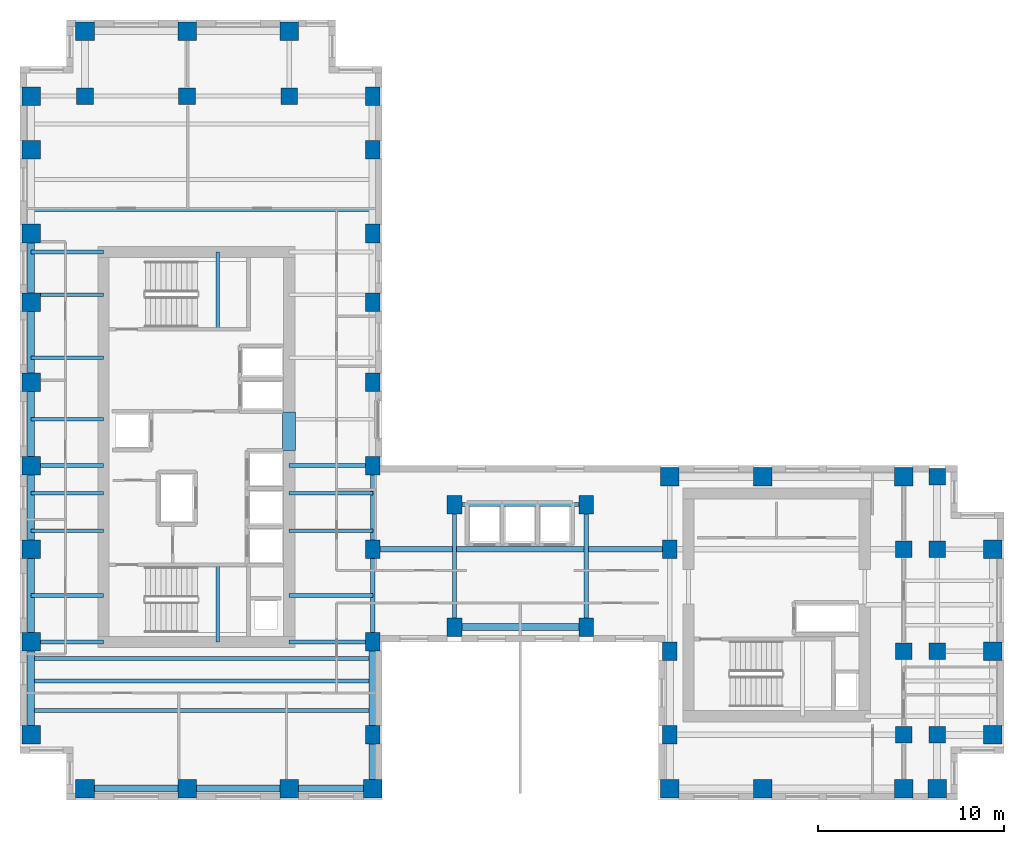
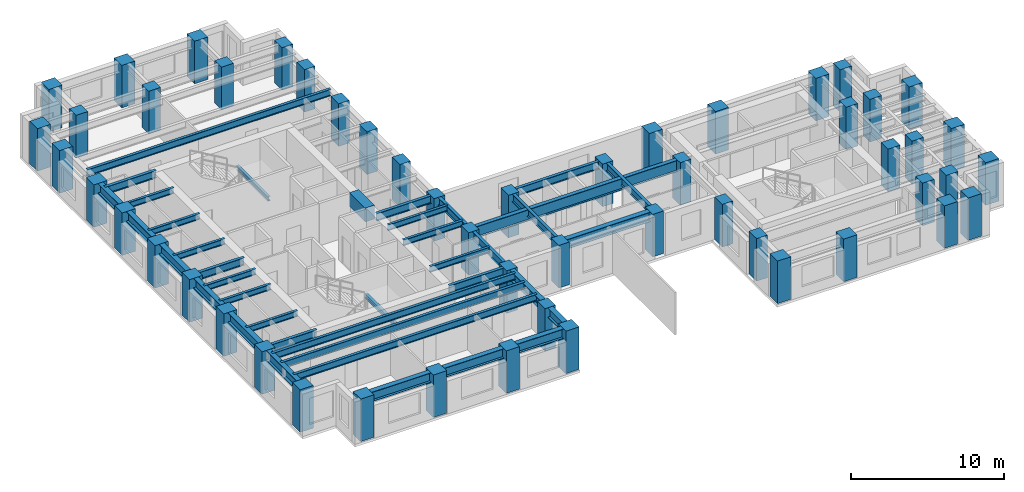
# One storey, part 1 of 11: 52 columns, 39 beams.
"""IFC4 building model written with IfcOpenShell, lengths in metres."""

from ifc_helpers import new_model, si_unit, direction, frame, origin, origin_2d, place, context, subcontext, project, spatial, rectangle, i_section, extrude, source, transform, mapped, material, material_profile, profile_set, type_object, element, save


model = new_model("IFC4")

# Units and contexts
model_context = context("Model", 3, precision=1e-05, world=origin(), true_north=direction((0.0, 1.0)))
body_context = subcontext(model_context, "Body", "Model", "MODEL_VIEW")
ifc_project = project(units=[si_unit("LENGTHUNIT", "METRE"), si_unit("AREAUNIT", "SQUARE_METRE"), si_unit("VOLUMEUNIT", "CUBIC_METRE"), si_unit("PLANEANGLEUNIT", "RADIAN"), si_unit("MASSUNIT", "GRAM", prefix="KILO")], contexts=[model_context])

# Site, building, storey
site_placement = place(None, origin())
site = spatial("IfcSite", under=ifc_project, at=site_placement, CompositionType="ELEMENT")
building_placement = place(site_placement, origin())
building = spatial("IfcBuilding", under=site, at=building_placement, Name="Kharzan Plaza Tower", CompositionType="ELEMENT")
storey_placement = place(building_placement, frame((0.0, 0.0, 182.699951171875)))
storey = spatial("IfcBuildingStorey", under=building, at=storey_placement, Name="L49", CompositionType="ELEMENT", Elevation=182.699951171875)

# Columns
ifc_material_1 = material(Name="Concrete C50/60", Category="concrete")
ifc_material_profile_1 = material_profile(ifc_material_1, rectangle(XDim=0.89990234375, YDim=0.89990234375, at=origin_2d()), Name="RC-IC900x900")
ifc_profile_set_1 = profile_set([ifc_material_profile_1], Name="Concrete C50/60")
column_type_1 = type_object("IfcColumnType", Name="COL-IC900", PredefinedType="COLUMN", material=ifc_profile_set_1)
shared_shape_1 = source(origin(), body_context, "Body", "SweptSolid", [
    extrude(rectangle(XDim=0.89990234375, YDim=0.89990234375, at=origin_2d()), origin(), (0.0, 0.0, 1.0), 3.400146484375),
])
for number, where, z_axis, x_axis, name in (
    (1, (47.60009765625, 13.5, 0.0), (0.0, 0.0, 1.0), (1.0, 0.0, 0.0), "L49 Structural Column TCBI-135"),
    (2, (47.60009765625, 3.5, 0.0), (0.0, 0.0, 1.0), (1.0, 0.0, 0.0), "L49 Structural Column TCBI-35"),
    (3, (47.60009765625, 8.0, 0.0), (0.0, 0.0, 1.0), (1.0, 0.0, 0.0), "L49 Structural Column TCBI-80"),
    (4, (49.39990234375, 13.5, 0.0), (0.0, 0.0, 1.0), (1.0, 0.0, 0.0), "L49 Structural Column TCE-494-135"),
    (5, (49.39990234375, 17.39990234375, 0.0), (0.0, 0.0, 1.0), (1.0, 0.0, 0.0), "L49 Structural Column TCE-494-174"),
    (6, (49.39990234375, 3.5, 0.0), (0.0, 0.0, 1.0), (1.0, 0.0, 0.0), "L49 Structural Column TCE-494-35"),
    (7, (49.39990234375, 8.0, 0.0), (0.0, 0.0, 1.0), (1.0, 0.0, 0.0), "L49 Structural Column TCE-494-80"),
    (8, (14.5, 37.89990234375, 0.0), (0.0, 0.0, 1.0), (1.0, 0.0, 0.0), "L49 Structural Column TCN-145-379"),
    (9, (3.5, 37.89990234375, 0.0), (0.0, 0.0, 1.0), (1.0, 0.0, 0.0), "L49 Structural Column TCN-35-379"),
    (10, (9.0, 37.89990234375, 0.0), (0.0, 0.0, 1.0), (1.0, 0.0, 0.0), "L49 Structural Column TCN-90-379"),
):
    element("IfcColumn", number, at=place(storey_placement, frame(where, z_axis=z_axis, x_axis=x_axis)), inside=storey, type_object=column_type_1, Name=name, PredefinedType="COLUMN", context=body_context, shape_type="MappedRepresentation", body=[
        mapped(shared_shape_1, transform((0.0, 0.0, 0.0), x_axis=(1.0, 0.0, 0.0), y_axis=(0.0, 1.0, 0.0), z_axis=(0.0, 0.0, 1.0))),
    ])
ifc_material_profile_2 = material_profile(ifc_material_1, rectangle(XDim=0.800048828125, YDim=1.0, at=origin_2d()), Name="RC-SC1000x800")
ifc_profile_set_2 = profile_set([ifc_material_profile_2], Name="Concrete C50/60")
column_type_2 = type_object("IfcColumnType", Name="COL-SC1000", PredefinedType="COLUMN", material=ifc_profile_set_2)
shared_shape_2 = source(origin(), body_context, "Body", "SweptSolid", [
    extrude(rectangle(XDim=0.800048828125, YDim=1.0, at=origin_2d()), origin(), (0.0, 0.0, 1.0), 3.400146484375),
])
for number, where, z_axis, x_axis, name in (
    (11, (19.0, 13.5, 0.0), (0.0, 0.0, 1.0), (1.0, 0.0, 0.0), "L49 Structural Column TCA-135"),
    (12, (19.0, 18.0, 0.0), (0.0, 0.0, 1.0), (1.0, 0.0, 0.0), "L49 Structural Column TCA-180"),
    (13, (19.0, 22.5, 0.0), (0.0, 0.0, 1.0), (1.0, 0.0, 0.0), "L49 Structural Column TCA-225"),
    (14, (19.0, 26.800048828125, 0.0), (0.0, 0.0, 1.0), (1.0, 0.0, 0.0), "L49 Structural Column TCA-268"),
    (15, (19.0, 30.5, 0.0), (0.0, 0.0, 1.0), (1.0, 0.0, 0.0), "L49 Structural Column TCA-305"),
    (16, (19.0, 3.5, 0.0), (0.0, 0.0, 1.0), (1.0, 0.0, 0.0), "L49 Structural Column TCA-35"),
    (17, (19.0, 35.0, 0.0), (0.0, 0.0, 1.0), (1.0, 0.0, 0.0), "L49 Structural Column TCA-350"),
    (18, (19.0, 37.89990234375, 0.0), (0.0, 0.0, 1.0), (1.0, 0.0, 0.0), "L49 Structural Column TCA-379"),
    (19, (19.0, 8.5, 0.0), (0.0, 0.0, 1.0), (1.0, 0.0, 0.0), "L49 Structural Column TCA-85"),
    (20, (35.0, 13.5, 0.0), (0.0, 0.0, 1.0), (1.0, 0.0, 0.0), "L49 Structural Column TCBS-135"),
    (21, (35.0, 3.5, 0.0), (0.0, 0.0, 1.0), (1.0, 0.0, 0.0), "L49 Structural Column TCBS-35"),
    (22, (35.0, 8.0, 0.0), (0.0, 0.0, 1.0), (1.0, 0.0, 0.0), "L49 Structural Column TCBS-80"),
    (23, (23.39990234375, 15.89990234375, 0.0), (0.0, 0.0, 1.0), (1.0, 0.0, 0.0), "L49 Structural Column TCSP-234-159"),
    (24, (23.39990234375, 9.300048828125, 0.0), (0.0, 0.0, 1.0), (1.0, 0.0, 0.0), "L49 Structural Column TCSP-234-93"),
    (25, (30.5, 15.89990234375, 0.0), (0.0, 0.0, 1.0), (1.0, 0.0, 0.0), "L49 Structural Column TCSP-305-159"),
    (26, (30.5, 9.300048828125, 0.0), (0.0, 0.0, 1.0), (1.0, 0.0, 0.0), "L49 Structural Column TCSP-305-93"),
):
    element("IfcColumn", number, at=place(storey_placement, frame(where, z_axis=z_axis, x_axis=x_axis)), inside=storey, type_object=column_type_2, Name=name, PredefinedType="COLUMN", context=body_context, shape_type="MappedRepresentation", body=[
        mapped(shared_shape_2, transform((0.0, 0.0, 0.0), x_axis=(1.0, 0.0, 0.0), y_axis=(0.0, 1.0, 0.0), z_axis=(0.0, 0.0, 1.0))),
    ])
ifc_material_profile_3 = material_profile(ifc_material_1, rectangle(XDim=1.0, YDim=1.0, at=origin_2d()), Name="RC-TC1000x1000")
ifc_profile_set_3 = profile_set([ifc_material_profile_3], Name="Concrete C50/60")
column_type_3 = type_object("IfcColumnType", Name="COL-TC1000", PredefinedType="COLUMN", material=ifc_profile_set_3)
shared_shape_3 = source(origin(), body_context, "Body", "SweptSolid", [
    extrude(rectangle(XDim=1.0, YDim=1.0, at=origin_2d()), origin(), (0.0, 0.0, 1.0), 3.400146484375),
])
for number, where, z_axis, x_axis, name in (
    (27, (35.0, 17.39990234375, 0.0), (0.0, 0.0, 1.0), (1.0, 0.0, 0.0), "L49 Structural Column TCBN-350-174"),
    (28, (40.0, 17.39990234375, 0.0), (0.0, 0.0, 1.0), (1.0, 0.0, 0.0), "L49 Structural Column TCBN-400-174"),
    (29, (47.60009765625, 17.39990234375, 0.0), (0.0, 0.0, 1.0), (1.0, 0.0, 0.0), "L49 Structural Column TCBN-476-174"),
    (30, (52.39990234375, 13.5, 0.0), (0.0, 0.0, 1.0), (1.0, 0.0, 0.0), "L49 Structural Column TCE-524-135"),
    (31, (52.39990234375, 3.5, 0.0), (0.0, 0.0, 1.0), (1.0, 0.0, 0.0), "L49 Structural Column TCE-524-35"),
    (32, (52.39990234375, 8.0, 0.0), (0.0, 0.0, 1.0), (1.0, 0.0, 0.0), "L49 Structural Column TCE-524-80"),
    (33, (14.5, 41.39990234375, 0.0), (0.0, 0.0, 1.0), (1.0, 0.0, 0.0), "L49 Structural Column TCN-145-414"),
    (34, (3.5, 41.39990234375, 0.0), (0.0, 0.0, 1.0), (1.0, 0.0, 0.0), "L49 Structural Column TCN-35-414"),
    (35, (9.0, 41.39990234375, 0.0), (0.0, 0.0, 1.0), (1.0, 0.0, 0.0), "L49 Structural Column TCN-90-414"),
    (36, (14.5, 0.60009765625, 0.0), (0.0, 0.0, 1.0), (1.0, 0.0, 0.0), "L49 Structural Column TCS-145"),
    (37, (19.0, 0.60009765625, 0.0), (0.0, 0.0, 1.0), (1.0, 0.0, 0.0), "L49 Structural Column TCS-190"),
    (38, (3.5, 0.60009765625, 0.0), (0.0, 0.0, 1.0), (1.0, 0.0, 0.0), "L49 Structural Column TCS-35"),
    (39, (35.0, 0.60009765625, 0.0), (0.0, 0.0, 1.0), (1.0, 0.0, 0.0), "L49 Structural Column TCS-350"),
    (40, (40.0, 0.60009765625, 0.0), (0.0, 0.0, 1.0), (1.0, 0.0, 0.0), "L49 Structural Column TCS-400"),
    (41, (47.60009765625, 0.60009765625, 0.0), (0.0, 0.0, 1.0), (1.0, 0.0, 0.0), "L49 Structural Column TCS-476"),
    (42, (49.39990234375, 0.60009765625, 0.0), (0.0, 0.0, 1.0), (1.0, 0.0, 0.0), "L49 Structural Column TCS-494"),
    (43, (9.0, 0.60009765625, 0.0), (0.0, 0.0, 1.0), (1.0, 0.0, 0.0), "L49 Structural Column TCS-90"),
    (44, (0.60009765625, 13.5, 0.0), (0.0, 0.0, 1.0), (1.0, 0.0, 0.0), "L49 Structural Column TCW-135"),
    (45, (0.60009765625, 18.0, 0.0), (0.0, 0.0, 1.0), (1.0, 0.0, 0.0), "L49 Structural Column TCW-180"),
    (46, (0.60009765625, 22.5, 0.0), (0.0, 0.0, 1.0), (1.0, 0.0, 0.0), "L49 Structural Column TCW-225"),
    (47, (0.60009765625, 26.800048828125, 0.0), (0.0, 0.0, 1.0), (1.0, 0.0, 0.0), "L49 Structural Column TCW-268"),
    (48, (0.60009765625, 30.5, 0.0), (0.0, 0.0, 1.0), (1.0, 0.0, 0.0), "L49 Structural Column TCW-305"),
    (49, (0.60009765625, 3.5, 0.0), (0.0, 0.0, 1.0), (1.0, 0.0, 0.0), "L49 Structural Column TCW-35"),
    (50, (0.60009765625, 35.0, 0.0), (0.0, 0.0, 1.0), (1.0, 0.0, 0.0), "L49 Structural Column TCW-350"),
    (51, (0.60009765625, 37.89990234375, 0.0), (0.0, 0.0, 1.0), (1.0, 0.0, 0.0), "L49 Structural Column TCW-379"),
    (52, (0.60009765625, 8.5, 0.0), (0.0, 0.0, 1.0), (1.0, 0.0, 0.0), "L49 Structural Column TCW-85"),
):
    element("IfcColumn", number, at=place(storey_placement, frame(where, z_axis=z_axis, x_axis=x_axis)), inside=storey, type_object=column_type_3, Name=name, PredefinedType="COLUMN", context=body_context, shape_type="MappedRepresentation", body=[
        mapped(shared_shape_3, transform((0.0, 0.0, 0.0), x_axis=(1.0, 0.0, 0.0), y_axis=(0.0, 1.0, 0.0), z_axis=(0.0, 0.0, 1.0))),
    ])

# Beams
ifc_material_2 = material(Name="Concrete C60/75", Category="concrete")
ifc_material_profile_4 = material_profile(ifc_material_2, rectangle(XDim=0.699951171875, YDim=1.10009765625, at=origin_2d()), Name="RC-CB1100x700")
ifc_profile_set_4 = profile_set([ifc_material_profile_4], Name="Concrete C60/75")
beam_type_1 = type_object("IfcBeamType", Name="BM-RCCB1100", PredefinedType="LINTEL", material=ifc_profile_set_4)
shared_shape_4 = source(origin(), body_context, "Body", "SweptSolid", [
    extrude(rectangle(XDim=0.699951171875, YDim=1.10009765625, at=origin_2d()), origin(), (0.0, 0.0, 1.0), 2.059814453125),
])
beam_1_placement = place(storey_placement, frame((14.5, 18.820068359375, 2.85009765625), z_axis=(0.0, 1.0, 0.0), x_axis=(-1.0, 0.0, 0.0)))
element("IfcBeam", 53, at=beam_1_placement, inside=storey, type_object=beam_type_1, Name="L49 CORE-A RC coupling beam CB1", PredefinedType="LINTEL", context=body_context, shape_type="MappedRepresentation", body=[
    mapped(shared_shape_4, transform((0.0, 0.0, 0.0), x_axis=(1.0, 0.0, 0.0), y_axis=(0.0, 1.0, 0.0), z_axis=(0.0, 0.0, 1.0))),
])
ifc_material_3 = material(Name="Steel S355", Category="steel")
ifc_material_profile_5 = material_profile(ifc_material_3, i_section(OverallWidth=0.205078125, OverallDepth=0.35400390625, WebThickness=0.009521484375, FlangeThickness=0.016845703125, at=origin_2d()), Name="W360x79")
ifc_profile_set_5 = profile_set([ifc_material_profile_5], Name="Steel S355")
beam_type_2 = type_object("IfcBeamType", Name="BM-LNT360", PredefinedType="LINTEL", material=ifc_profile_set_5)
shared_shape_5 = source(origin(), body_context, "Body", "SweptSolid", [
    extrude(i_section(OverallWidth=0.205078125, OverallDepth=0.35400390625, WebThickness=0.009521484375, FlangeThickness=0.016845703125, at=origin_2d()), origin(), (0.0, 0.0, 1.0), 4.155029296875),
])
for number, where, z_axis, x_axis, name in (
    (54, (10.64990234375, 8.5, 1.423095703125), (0.0, 1.0, 0.0), (-1.0, 0.0, 0.0), "L49 Stair ST-1 Half-Landing Beam"),
    (55, (10.64990234375, 25.344970703125, 1.423095703125), (0.0, 1.0, 0.0), (-1.0, 0.0, 0.0), "L49 Stair ST-2 Half-Landing Beam"),
):
    element("IfcBeam", number, at=place(storey_placement, frame(where, z_axis=z_axis, x_axis=x_axis)), inside=storey, type_object=beam_type_2, Name=name, PredefinedType="LINTEL", context=body_context, shape_type="MappedRepresentation", body=[
        mapped(shared_shape_5, transform((0.0, 0.0, 0.0), x_axis=(1.0, 0.0, 0.0), y_axis=(0.0, 1.0, 0.0), z_axis=(0.0, 0.0, 1.0))),
    ])
ifc_material_profile_6 = material_profile(ifc_material_3, i_section(OverallWidth=0.304931640625, OverallDepth=0.9189453125, WebThickness=0.017333984375, FlangeThickness=0.02783203125, at=origin_2d()), Name="W920x253")
ifc_profile_set_6 = profile_set([ifc_material_profile_6], Name="Steel S355")
beam_type_3 = type_object("IfcBeamType", Name="BM-FG920B", PredefinedType="BEAM", material=ifc_profile_set_6)
shared_shape_6 = source(origin(), body_context, "Body", "SweptSolid", [
    extrude(i_section(OverallWidth=0.304931640625, OverallDepth=0.9189453125, WebThickness=0.017333984375, FlangeThickness=0.02783203125, at=origin_2d()), origin(), (0.0, 0.0, 1.0), 16.0),
])
beam_2_placement = place(storey_placement, frame((19.0, 13.5, 2.9404296875), z_axis=(1.0, 0.0, 0.0), x_axis=(0.0, 1.0, 0.0)))
element("IfcBeam", 56, at=beam_2_placement, inside=storey, type_object=beam_type_3, Name="L49 Primary Floor Girder", PredefinedType="BEAM", context=body_context, shape_type="MappedRepresentation", body=[
    mapped(shared_shape_6, transform((0.0, 0.0, 0.0), x_axis=(1.0, 0.0, 0.0), y_axis=(0.0, 1.0, 0.0), z_axis=(0.0, 0.0, 1.0))),
])
ifc_material_profile_7 = material_profile(ifc_material_3, i_section(OverallWidth=0.2099609375, OverallDepth=0.537109375, WebThickness=0.010986328125, FlangeThickness=0.017333984375, at=origin_2d()), Name="W530x101")
ifc_profile_set_7 = profile_set([ifc_material_profile_7], Name="Steel S355")
beam_type_4 = type_object("IfcBeamType", Name="BM-JST530B", PredefinedType="JOIST", material=ifc_profile_set_7)
shared_shape_7 = source(origin(), body_context, "Body", "SweptSolid", [
    extrude(i_section(OverallWidth=0.2099609375, OverallDepth=0.537109375, WebThickness=0.010986328125, FlangeThickness=0.017333984375, at=origin_2d()), origin(), (0.0, 0.0, 1.0), 18.39990234375),
])
for number, where, z_axis, x_axis, name in (
    (57, (0.60009765625, 4.800048828125, 3.131591796875), (1.0, 0.0, 0.0), (0.0, 1.0, 0.0), "L49 Wing A Composite Joist 01"),
    (58, (0.60009765625, 6.39990234375, 3.131591796875), (1.0, 0.0, 0.0), (0.0, 1.0, 0.0), "L49 Wing A Composite Joist 02"),
    (59, (0.60009765625, 7.60009765625, 3.131591796875), (1.0, 0.0, 0.0), (0.0, 1.0, 0.0), "L49 Wing A Composite Joist 03"),
    (60, (0.60009765625, 31.800048828125, 3.131591796875), (1.0, 0.0, 0.0), (0.0, 1.0, 0.0), "L49 Wing A Composite Joist 04"),
):
    element("IfcBeam", number, at=place(storey_placement, frame(where, z_axis=z_axis, x_axis=x_axis)), inside=storey, type_object=beam_type_4, Name=name, PredefinedType="JOIST", context=body_context, shape_type="MappedRepresentation", body=[
        mapped(shared_shape_7, transform((0.0, 0.0, 0.0), x_axis=(1.0, 0.0, 0.0), y_axis=(0.0, 1.0, 0.0), z_axis=(0.0, 0.0, 1.0))),
    ])
ifc_material_profile_8 = material_profile(ifc_material_3, i_section(OverallWidth=0.194091796875, OverallDepth=0.468994140625, WebThickness=0.011474609375, FlangeThickness=0.0205078125, at=origin_2d()), Name="W460x106")
ifc_profile_set_8 = profile_set([ifc_material_profile_8], Name="Steel S355")
beam_type_5 = type_object("IfcBeamType", Name="BM-JST460", PredefinedType="JOIST", material=ifc_profile_set_8)
shared_shape_8 = source(origin(), body_context, "Body", "SweptSolid", [
    extrude(i_section(OverallWidth=0.194091796875, OverallDepth=0.468994140625, WebThickness=0.011474609375, FlangeThickness=0.0205078125, at=origin_2d()), origin(), (0.0, 0.0, 1.0), 4.5),
])
for number, where, z_axis, x_axis, name in (
    (61, (14.5, 11.0, 3.16552734375), (1.0, 0.0, 0.0), (0.0, 1.0, 0.0), "L49 Wing A East Infill Joist 1"),
    (62, (14.5, 14.5, 3.16552734375), (1.0, 0.0, 0.0), (0.0, 1.0, 0.0), "L49 Wing A East Infill Joist 2"),
    (63, (14.5, 16.5, 3.16552734375), (1.0, 0.0, 0.0), (0.0, 1.0, 0.0), "L49 Wing A East Infill Joist 3"),
):
    element("IfcBeam", number, at=place(storey_placement, frame(where, z_axis=z_axis, x_axis=x_axis)), inside=storey, type_object=beam_type_5, Name=name, PredefinedType="JOIST", context=body_context, shape_type="MappedRepresentation", body=[
        mapped(shared_shape_8, transform((0.0, 0.0, 0.0), x_axis=(1.0, 0.0, 0.0), y_axis=(0.0, 1.0, 0.0), z_axis=(0.0, 0.0, 1.0))),
    ])
shared_shape_9 = source(origin(), body_context, "Body", "SweptSolid", [
    extrude(i_section(OverallWidth=0.194091796875, OverallDepth=0.468994140625, WebThickness=0.011474609375, FlangeThickness=0.0205078125, at=origin_2d()), origin(), (0.0, 0.0, 1.0), 3.89990234375),
])
for number, where, z_axis, x_axis, name in (
    (64, (0.60009765625, 11.0, 3.16552734375), (1.0, 0.0, 0.0), (0.0, 1.0, 0.0), "L49 Wing A West Infill Joist 1"),
    (65, (0.60009765625, 14.5, 3.16552734375), (1.0, 0.0, 0.0), (0.0, 1.0, 0.0), "L49 Wing A West Infill Joist 2"),
    (66, (0.60009765625, 16.5, 3.16552734375), (1.0, 0.0, 0.0), (0.0, 1.0, 0.0), "L49 Wing A West Infill Joist 3"),
    (67, (0.60009765625, 20.5, 3.16552734375), (1.0, 0.0, 0.0), (0.0, 1.0, 0.0), "L49 Wing A West Infill Joist 4"),
    (68, (0.60009765625, 23.800048828125, 3.16552734375), (1.0, 0.0, 0.0), (0.0, 1.0, 0.0), "L49 Wing A West Infill Joist 5"),
    (69, (0.60009765625, 27.199951171875, 3.16552734375), (1.0, 0.0, 0.0), (0.0, 1.0, 0.0), "L49 Wing A West Infill Joist 6"),
):
    element("IfcBeam", number, at=place(storey_placement, frame(where, z_axis=z_axis, x_axis=x_axis)), inside=storey, type_object=beam_type_5, Name=name, PredefinedType="JOIST", context=body_context, shape_type="MappedRepresentation", body=[
        mapped(shared_shape_9, transform((0.0, 0.0, 0.0), x_axis=(1.0, 0.0, 0.0), y_axis=(0.0, 1.0, 0.0), z_axis=(0.0, 0.0, 1.0))),
    ])
ifc_material_profile_9 = material_profile(ifc_material_3, i_section(OverallWidth=0.22900390625, OverallDepth=0.612060546875, WebThickness=0.011962890625, FlangeThickness=0.01953125, at=origin_2d()), Name="W610x125")
ifc_profile_set_9 = profile_set([ifc_material_profile_9], Name="Steel S355")
beam_type_6 = type_object("IfcBeamType", Name="BM-FG610B", PredefinedType="BEAM", material=ifc_profile_set_9)
shared_shape_10 = source(origin(), body_context, "Body", "SweptSolid", [
    extrude(i_section(OverallWidth=0.22900390625, OverallDepth=0.612060546875, WebThickness=0.011962890625, FlangeThickness=0.01953125, at=origin_2d()), origin(), (0.0, 0.0, 1.0), 4.5),
])
for number, where, z_axis, x_axis, name in (
    (70, (14.5, 8.5, 3.093994140625), (1.0, 0.0, 0.0), (0.0, 1.0, 0.0), "L49 Core-A East Floor Girder 1"),
    (71, (14.5, 18.0, 3.093994140625), (1.0, 0.0, 0.0), (0.0, 1.0, 0.0), "L49 Core-A East Floor Girder 2"),
    (72, (19.0, 13.5, 3.093994140625), (0.0, 1.0, 0.0), (-1.0, 0.0, 0.0), "L49 Interior Frame Girder"),
):
    element("IfcBeam", number, at=place(storey_placement, frame(where, z_axis=z_axis, x_axis=x_axis)), inside=storey, type_object=beam_type_6, Name=name, PredefinedType="BEAM", context=body_context, shape_type="MappedRepresentation", body=[
        mapped(shared_shape_10, transform((0.0, 0.0, 0.0), x_axis=(1.0, 0.0, 0.0), y_axis=(0.0, 1.0, 0.0), z_axis=(0.0, 0.0, 1.0))),
    ])
shared_shape_11 = source(origin(), body_context, "Body", "SweptSolid", [
    extrude(i_section(OverallWidth=0.22900390625, OverallDepth=0.612060546875, WebThickness=0.011962890625, FlangeThickness=0.01953125, at=origin_2d()), origin(), (0.0, 0.0, 1.0), 3.89990234375),
])
for number, where, z_axis, x_axis, name in (
    (73, (0.60009765625, 8.5, 3.093994140625), (1.0, 0.0, 0.0), (0.0, 1.0, 0.0), "L49 Core-A West Floor Girder 1"),
    (74, (0.60009765625, 18.0, 3.093994140625), (1.0, 0.0, 0.0), (0.0, 1.0, 0.0), "L49 Core-A West Floor Girder 2"),
    (75, (0.60009765625, 29.5, 3.093994140625), (1.0, 0.0, 0.0), (0.0, 1.0, 0.0), "L49 Core-A West Floor Girder 3"),
):
    element("IfcBeam", number, at=place(storey_placement, frame(where, z_axis=z_axis, x_axis=x_axis)), inside=storey, type_object=beam_type_6, Name=name, PredefinedType="BEAM", context=body_context, shape_type="MappedRepresentation", body=[
        mapped(shared_shape_11, transform((0.0, 0.0, 0.0), x_axis=(1.0, 0.0, 0.0), y_axis=(0.0, 1.0, 0.0), z_axis=(0.0, 0.0, 1.0))),
    ])
shared_shape_12 = source(origin(), body_context, "Body", "SweptSolid", [
    extrude(i_section(OverallWidth=0.22900390625, OverallDepth=0.612060546875, WebThickness=0.011962890625, FlangeThickness=0.01953125, at=origin_2d()), origin(), (0.0, 0.0, 1.0), 5.0),
])
beam_3_placement = place(storey_placement, frame((19.0, 8.5, 3.093994140625), z_axis=(0.0, 1.0, 0.0), x_axis=(-1.0, 0.0, 0.0)))
element("IfcBeam", 76, at=beam_3_placement, inside=storey, type_object=beam_type_6, Name="L49 Interior Frame Girder", PredefinedType="BEAM", context=body_context, shape_type="MappedRepresentation", body=[
    mapped(shared_shape_12, transform((0.0, 0.0, 0.0), x_axis=(1.0, 0.0, 0.0), y_axis=(0.0, 1.0, 0.0), z_axis=(0.0, 0.0, 1.0))),
])
shared_shape_13 = source(origin(), body_context, "Body", "SweptSolid", [
    extrude(i_section(OverallWidth=0.22900390625, OverallDepth=0.612060546875, WebThickness=0.011962890625, FlangeThickness=0.01953125, at=origin_2d()), origin(), (0.0, 0.0, 1.0), 6.599853515625),
])
for number, where, z_axis, x_axis, name in (
    (77, (23.39990234375, 9.300048828125, 3.093994140625), (0.0, 1.0, 0.0), (-1.0, 0.0, 0.0), "L49 Interior Frame Girder"),
    (78, (30.5, 9.300048828125, 3.093994140625), (0.0, 1.0, 0.0), (-1.0, 0.0, 0.0), "L49 Interior Frame Girder"),
):
    element("IfcBeam", number, at=place(storey_placement, frame(where, z_axis=z_axis, x_axis=x_axis)), inside=storey, type_object=beam_type_6, Name=name, PredefinedType="BEAM", context=body_context, shape_type="MappedRepresentation", body=[
        mapped(shared_shape_13, transform((0.0, 0.0, 0.0), x_axis=(1.0, 0.0, 0.0), y_axis=(0.0, 1.0, 0.0), z_axis=(0.0, 0.0, 1.0))),
    ])
shared_shape_14 = source(origin(), body_context, "Body", "SweptSolid", [
    extrude(i_section(OverallWidth=0.22900390625, OverallDepth=0.612060546875, WebThickness=0.011962890625, FlangeThickness=0.01953125, at=origin_2d()), origin(), (0.0, 0.0, 1.0), 7.10009765625),
])
beam_4_placement = place(storey_placement, frame((23.39990234375, 15.89990234375, 3.093994140625), z_axis=(1.0, 0.0, 0.0), x_axis=(0.0, 1.0, 0.0)))
element("IfcBeam", 79, at=beam_4_placement, inside=storey, type_object=beam_type_6, Name="L49 Primary Floor Girder", PredefinedType="BEAM", context=body_context, shape_type="MappedRepresentation", body=[
    mapped(shared_shape_14, transform((0.0, 0.0, 0.0), x_axis=(1.0, 0.0, 0.0), y_axis=(0.0, 1.0, 0.0), z_axis=(0.0, 0.0, 1.0))),
])
ifc_material_profile_10 = material_profile(ifc_material_3, i_section(OverallWidth=0.381103515625, OverallDepth=0.77294921875, WebThickness=0.0166015625, FlangeThickness=0.027587890625, at=origin_2d()), Name="W760x257")
ifc_profile_set_10 = profile_set([ifc_material_profile_10], Name="Steel S355")
beam_type_7 = type_object("IfcBeamType", Name="BM-SP760A", PredefinedType="SPANDREL", material=ifc_profile_set_10)
shared_shape_15 = source(origin(), body_context, "Body", "SweptSolid", [
    extrude(i_section(OverallWidth=0.381103515625, OverallDepth=0.77294921875, WebThickness=0.0166015625, FlangeThickness=0.027587890625, at=origin_2d()), origin(), (0.0, 0.0, 1.0), 5.0),
])
for number, where, z_axis, x_axis, name in (
    (80, (0.60009765625, 3.5, 3.013427734375), (0.0, 1.0, 0.0), (-1.0, 0.0, 0.0), "L49 Perimeter Tube Spandrel"),
    (81, (0.60009765625, 8.5, 3.013427734375), (0.0, 1.0, 0.0), (-1.0, 0.0, 0.0), "L49 Perimeter Tube Spandrel"),
    (82, (19.0, 3.5, 3.013427734375), (0.0, 1.0, 0.0), (-1.0, 0.0, 0.0), "L49 Perimeter Tube Spandrel"),
):
    element("IfcBeam", number, at=place(storey_placement, frame(where, z_axis=z_axis, x_axis=x_axis)), inside=storey, type_object=beam_type_7, Name=name, PredefinedType="SPANDREL", context=body_context, shape_type="MappedRepresentation", body=[
        mapped(shared_shape_15, transform((0.0, 0.0, 0.0), x_axis=(1.0, 0.0, 0.0), y_axis=(0.0, 1.0, 0.0), z_axis=(0.0, 0.0, 1.0))),
    ])
shared_shape_16 = source(origin(), body_context, "Body", "SweptSolid", [
    extrude(i_section(OverallWidth=0.381103515625, OverallDepth=0.77294921875, WebThickness=0.0166015625, FlangeThickness=0.027587890625, at=origin_2d()), origin(), (0.0, 0.0, 1.0), 4.5),
])
for number, where, z_axis, x_axis, name in (
    (83, (0.60009765625, 13.5, 3.013427734375), (0.0, 1.0, 0.0), (-1.0, 0.0, 0.0), "L49 Perimeter Tube Spandrel"),
    (84, (0.60009765625, 18.0, 3.013427734375), (0.0, 1.0, 0.0), (-1.0, 0.0, 0.0), "L49 Perimeter Tube Spandrel"),
    (85, (14.5, 0.60009765625, 3.013427734375), (1.0, 0.0, 0.0), (0.0, 1.0, 0.0), "L49 Perimeter Tube Spandrel"),
):
    element("IfcBeam", number, at=place(storey_placement, frame(where, z_axis=z_axis, x_axis=x_axis)), inside=storey, type_object=beam_type_7, Name=name, PredefinedType="SPANDREL", context=body_context, shape_type="MappedRepresentation", body=[
        mapped(shared_shape_16, transform((0.0, 0.0, 0.0), x_axis=(1.0, 0.0, 0.0), y_axis=(0.0, 1.0, 0.0), z_axis=(0.0, 0.0, 1.0))),
    ])
shared_shape_17 = source(origin(), body_context, "Body", "SweptSolid", [
    extrude(i_section(OverallWidth=0.381103515625, OverallDepth=0.77294921875, WebThickness=0.0166015625, FlangeThickness=0.027587890625, at=origin_2d()), origin(), (0.0, 0.0, 1.0), 4.300048828125),
])
beam_5_placement = place(storey_placement, frame((0.60009765625, 22.5, 3.013427734375), z_axis=(0.0, 1.0, 0.0), x_axis=(-1.0, 0.0, 0.0)))
element("IfcBeam", 86, at=beam_5_placement, inside=storey, type_object=beam_type_7, Name="L49 Perimeter Tube Spandrel", PredefinedType="SPANDREL", context=body_context, shape_type="MappedRepresentation", body=[
    mapped(shared_shape_17, transform((0.0, 0.0, 0.0), x_axis=(1.0, 0.0, 0.0), y_axis=(0.0, 1.0, 0.0), z_axis=(0.0, 0.0, 1.0))),
])
shared_shape_18 = source(origin(), body_context, "Body", "SweptSolid", [
    extrude(i_section(OverallWidth=0.381103515625, OverallDepth=0.77294921875, WebThickness=0.0166015625, FlangeThickness=0.027587890625, at=origin_2d()), origin(), (0.0, 0.0, 1.0), 3.699951171875),
])
beam_6_placement = place(storey_placement, frame((0.60009765625, 26.800048828125, 3.013427734375), z_axis=(0.0, 1.0, 0.0), x_axis=(-1.0, 0.0, 0.0)))
element("IfcBeam", 87, at=beam_6_placement, inside=storey, type_object=beam_type_7, Name="L49 Perimeter Tube Spandrel", PredefinedType="SPANDREL", context=body_context, shape_type="MappedRepresentation", body=[
    mapped(shared_shape_18, transform((0.0, 0.0, 0.0), x_axis=(1.0, 0.0, 0.0), y_axis=(0.0, 1.0, 0.0), z_axis=(0.0, 0.0, 1.0))),
])
shared_shape_19 = source(origin(), body_context, "Body", "SweptSolid", [
    extrude(i_section(OverallWidth=0.381103515625, OverallDepth=0.77294921875, WebThickness=0.0166015625, FlangeThickness=0.027587890625, at=origin_2d()), origin(), (0.0, 0.0, 1.0), 2.89990234375),
])
beam_7_placement = place(storey_placement, frame((19.0, 0.60009765625, 3.013427734375), z_axis=(0.0, 1.0, 0.0), x_axis=(-1.0, 0.0, 0.0)))
element("IfcBeam", 88, at=beam_7_placement, inside=storey, type_object=beam_type_7, Name="L49 Perimeter Tube Spandrel", PredefinedType="SPANDREL", context=body_context, shape_type="MappedRepresentation", body=[
    mapped(shared_shape_19, transform((0.0, 0.0, 0.0), x_axis=(1.0, 0.0, 0.0), y_axis=(0.0, 1.0, 0.0), z_axis=(0.0, 0.0, 1.0))),
])
shared_shape_20 = source(origin(), body_context, "Body", "SweptSolid", [
    extrude(i_section(OverallWidth=0.381103515625, OverallDepth=0.77294921875, WebThickness=0.0166015625, FlangeThickness=0.027587890625, at=origin_2d()), origin(), (0.0, 0.0, 1.0), 5.5),
])
for number, where, z_axis, x_axis, name in (
    (89, (3.5, 0.60009765625, 3.013427734375), (1.0, 0.0, 0.0), (0.0, 1.0, 0.0), "L49 Perimeter Tube Spandrel"),
    (90, (9.0, 0.60009765625, 3.013427734375), (1.0, 0.0, 0.0), (0.0, 1.0, 0.0), "L49 Perimeter Tube Spandrel"),
):
    element("IfcBeam", number, at=place(storey_placement, frame(where, z_axis=z_axis, x_axis=x_axis)), inside=storey, type_object=beam_type_7, Name=name, PredefinedType="SPANDREL", context=body_context, shape_type="MappedRepresentation", body=[
        mapped(shared_shape_20, transform((0.0, 0.0, 0.0), x_axis=(1.0, 0.0, 0.0), y_axis=(0.0, 1.0, 0.0), z_axis=(0.0, 0.0, 1.0))),
    ])
shared_shape_21 = source(origin(), body_context, "Body", "SweptSolid", [
    extrude(i_section(OverallWidth=0.381103515625, OverallDepth=0.77294921875, WebThickness=0.0166015625, FlangeThickness=0.027587890625, at=origin_2d()), origin(), (0.0, 0.0, 1.0), 7.10009765625),
])
beam_8_placement = place(storey_placement, frame((23.39990234375, 9.300048828125, 3.013427734375), z_axis=(1.0, 0.0, 0.0), x_axis=(0.0, 1.0, 0.0)))
element("IfcBeam", 91, at=beam_8_placement, inside=storey, type_object=beam_type_7, Name="L49 Perimeter Tube Spandrel", PredefinedType="SPANDREL", context=body_context, shape_type="MappedRepresentation", body=[
    mapped(shared_shape_21, transform((0.0, 0.0, 0.0), x_axis=(1.0, 0.0, 0.0), y_axis=(0.0, 1.0, 0.0), z_axis=(0.0, 0.0, 1.0))),
])

save(model, "model.ifc")
